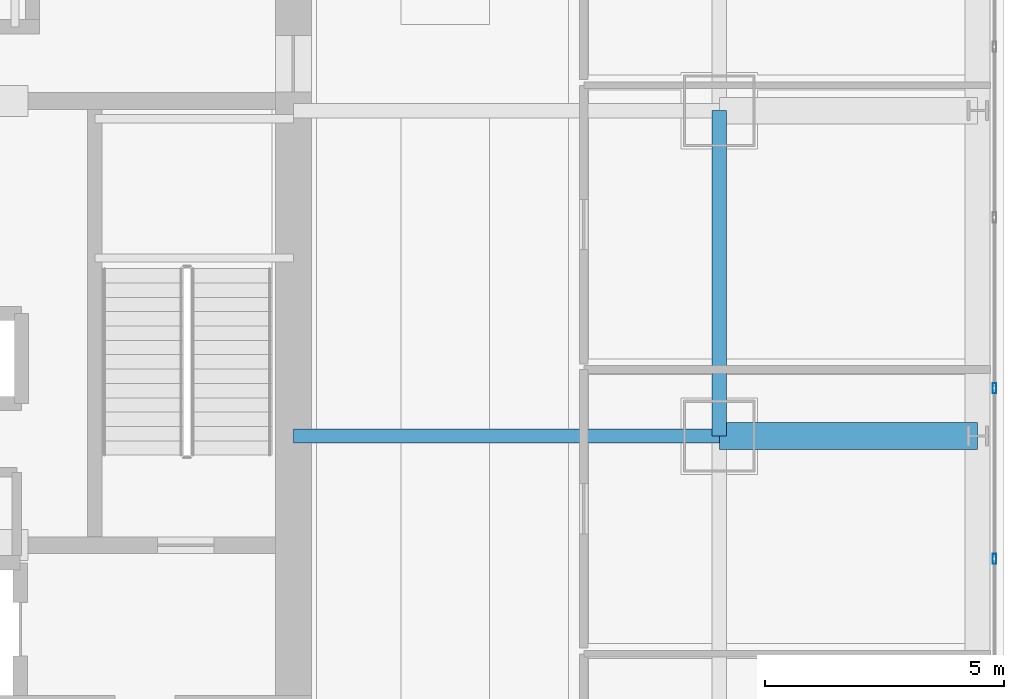
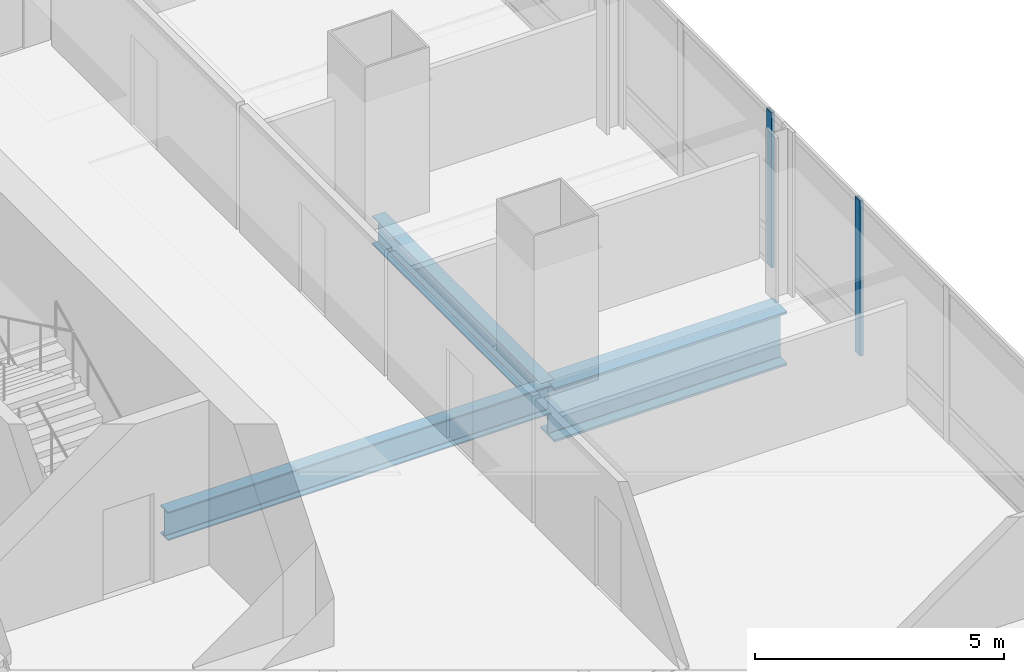
# One storey, part 15 of 34: 3 beams, 2 members, 1 element without a shape of its own.
"""IFC4 building model written with IfcOpenShell, lengths in metres."""

from ifc_helpers import new_model, si_unit, direction, frame, origin, origin_2d, place, context, subcontext, project, spatial, hollow_rectangle, i_section, extrude, material, material_profile, profile_set, type_object, element, aggregate, save


model = new_model("IFC4")

# Units and contexts
model_context = context("Model", 3, precision=1e-05, world=origin(), true_north=direction((0.0, 1.0)))
body_context = subcontext(model_context, "Body", "Model", "MODEL_VIEW")
ifc_project = project(units=[si_unit("LENGTHUNIT", "METRE"), si_unit("AREAUNIT", "SQUARE_METRE"), si_unit("VOLUMEUNIT", "CUBIC_METRE"), si_unit("PLANEANGLEUNIT", "RADIAN"), si_unit("MASSUNIT", "GRAM", prefix="KILO")], contexts=[model_context])

# Site, building, storey
site_placement = place(None, origin())
site = spatial("IfcSite", under=ifc_project, at=site_placement, CompositionType="ELEMENT")
building_placement = place(site_placement, origin())
building = spatial("IfcBuilding", under=site, at=building_placement, Name="Punatoya Terracotta Tower", CompositionType="ELEMENT")
storey_placement = place(building_placement, frame((0.0, 0.0, 84.89990234375)))
storey = spatial("IfcBuildingStorey", under=building, at=storey_placement, Name="L19", CompositionType="ELEMENT", Elevation=84.89990234375)

# Beams
ifc_material_1 = material(Name="Steel S355", Category="steel")
ifc_material_profile_1 = material_profile(ifc_material_1, i_section(OverallWidth=0.300048828125, OverallDepth=0.699951171875, WebThickness=0.01708984375, FlangeThickness=0.031982421875, FilletRadius=0.01806640625, at=origin_2d()))
ifc_profile_set_1 = profile_set([ifc_material_profile_1], Name="Steel S355")
beam_type_1 = type_object("IfcBeamType", Name="BM-PRI-700", PredefinedType="BEAM", material=ifc_profile_set_1)
beam_1_placement = place(storey_placement, frame((19.10009765625, -3.39990234375, -0.58984375), z_axis=(0.0, 1.0, 0.0), x_axis=(-1.0, 0.0, 0.0)))
element("IfcBeam", 1, at=beam_1_placement, inside=storey, type_object=beam_type_1, Name="BM-L19-RG-E2", PredefinedType="BEAM", context=body_context, shape_type="SweptSolid", body=[
    extrude(i_section(OverallWidth=0.300048828125, OverallDepth=0.699951171875, WebThickness=0.01708984375, FlangeThickness=0.031982421875, FilletRadius=0.01806640625, at=origin_2d()), origin(), (0.0, 0.0, 1.0), 6.7998046875),
])
beam_2_placement = place(storey_placement, frame((10.199951171875, -3.39990234375, -0.58984375), z_axis=(1.0, 0.0, 0.0), x_axis=(0.0, 1.0, 0.0)))
element("IfcBeam", 2, at=beam_2_placement, inside=storey, type_object=beam_type_1, Name="BM-L19-PR-ED", PredefinedType="BEAM", context=body_context, shape_type="SweptSolid", body=[
    extrude(i_section(OverallWidth=0.300048828125, OverallDepth=0.699951171875, WebThickness=0.01708984375, FlangeThickness=0.031982421875, FilletRadius=0.01806640625, at=origin_2d()), origin(), (0.0, 0.0, 1.0), 8.900146484375),
])
ifc_material_2 = material(Name="Steel S460", Category="steel")
ifc_material_profile_2 = material_profile(ifc_material_2, i_section(OverallWidth=0.56005859375, OverallDepth=1.320068359375, WebThickness=0.035888671875, FlangeThickness=0.054931640625, FilletRadius=0.01806640625, at=origin_2d()))
ifc_profile_set_2 = profile_set([ifc_material_profile_2], Name="Steel S460")
beam_type_2 = type_object("IfcBeamType", Name="BM-TG-BLK", PredefinedType="BEAM", material=ifc_profile_set_2)
beam_3_placement = place(storey_placement, frame((19.10009765625, -3.39990234375, -0.89990234375), z_axis=(1.0, 0.0, 0.0), x_axis=(0.0, 1.0, 0.0)))
element("IfcBeam", 3, at=beam_3_placement, inside=storey, type_object=beam_type_2, Name="BM-L19-CANT-E2", PredefinedType="BEAM", context=body_context, shape_type="SweptSolid", body=[
    extrude(i_section(OverallWidth=0.56005859375, OverallDepth=1.320068359375, WebThickness=0.035888671875, FlangeThickness=0.054931640625, FilletRadius=0.01806640625, at=origin_2d()), origin(), (0.0, 0.0, 1.0), 5.39990234375),
])

# Curtain wall, members
ifc_material_3 = material(Name="Aluminium 6063-T6 + Double Low-E Glass", Category="aluminium")
curtain_wall_type = type_object("IfcCurtainWallType", Name="CW-M1", PredefinedType="NOTDEFINED", material=ifc_material_3)
curtain_wall_placement = place(storey_placement, origin())
curtain_wall = element("IfcCurtainWall", 4, at=curtain_wall_placement, inside=storey, type_object=curtain_wall_type, Name="L19 Curtain Wall CW-L19-E05-1", PredefinedType="NOTDEFINED")
ifc_material_4 = material(Name="Aluminium 6063-T6", Category="aluminium")
ifc_material_profile_3 = material_profile(ifc_material_4, hollow_rectangle(XDim=0.074951171875, YDim=0.2099609375, WallThickness=0.00439453125, at=origin_2d()))
ifc_profile_set_3 = profile_set([ifc_material_profile_3], Name="Aluminium 6063-T6")
member_type = type_object("IfcMemberType", Name="CW-MUL-M1", PredefinedType="MULLION", material=ifc_profile_set_3)
member_1_placement = place(storey_placement, frame((24.85009765625, -5.96728515625, 0.0), z_axis=(0.0, 0.0, 1.0), x_axis=(1.0, 0.0, 0.0)))
member_1 = element("IfcMember", 5, at=member_1_placement, type_object=member_type, Name="CW-L19-E05-1 Mullion 04", PredefinedType="MULLION", context=body_context, shape_type="SweptSolid", body=[
    extrude(hollow_rectangle(XDim=0.074951171875, YDim=0.2099609375, WallThickness=0.00439453125, at=origin_2d()), origin(), (0.0, 0.0, 1.0), 3.81005859375),
])
member_2_placement = place(storey_placement, frame((24.85009765625, -2.39990234375, 0.0), z_axis=(0.0, 0.0, 1.0), x_axis=(1.0, 0.0, 0.0)))
member_2 = element("IfcMember", 6, at=member_2_placement, type_object=member_type, Name="CW-L19-E05-1 Mullion 05", PredefinedType="MULLION", context=body_context, shape_type="SweptSolid", body=[
    extrude(hollow_rectangle(XDim=0.074951171875, YDim=0.2099609375, WallThickness=0.00439453125, at=origin_2d()), origin(), (0.0, 0.0, 1.0), 3.81005859375),
])
aggregate(curtain_wall, [member_1, member_2])

save(model, "model.ifc")
